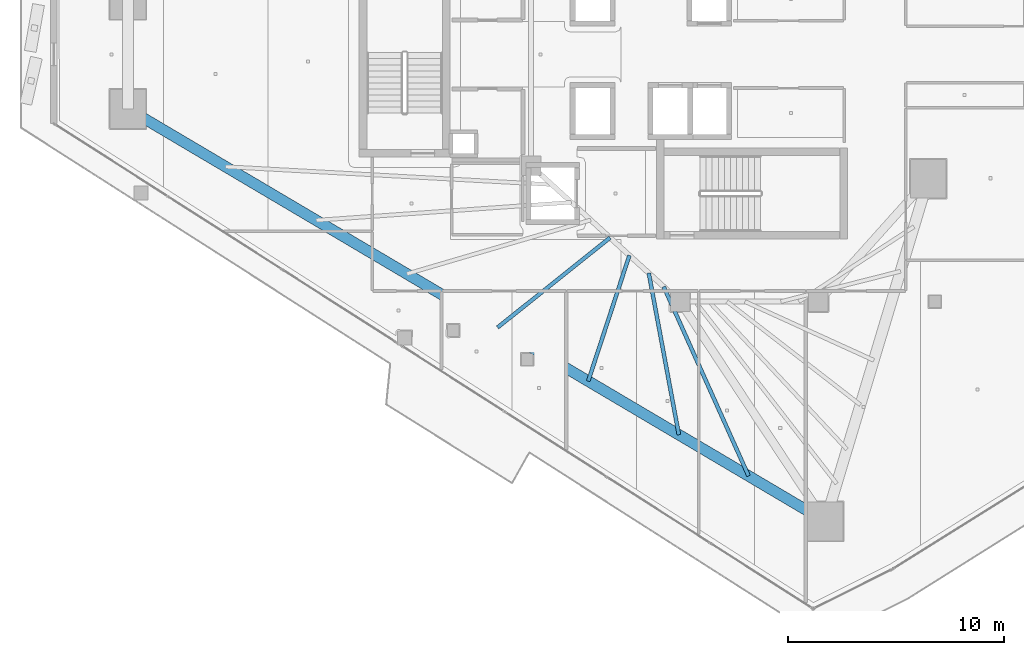
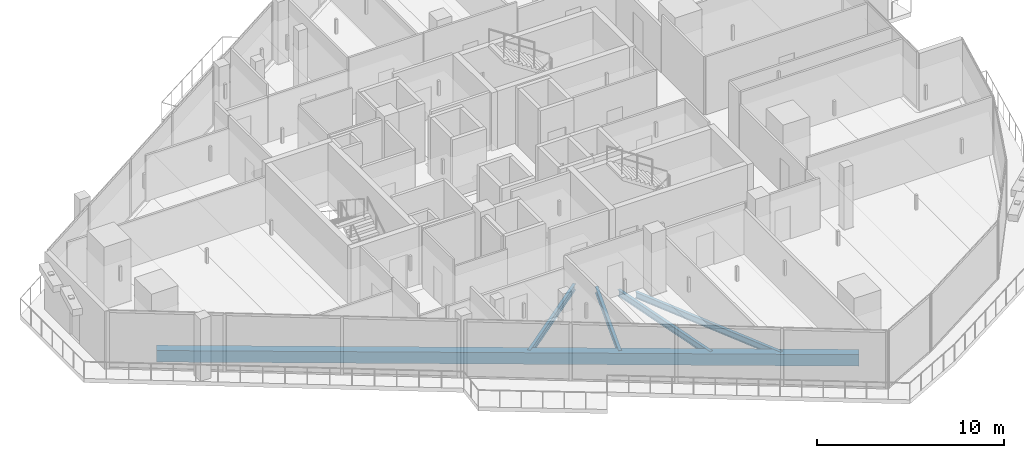
# One storey, part 5 of 36: 5 beams.
"""IFC4 building model written with IfcOpenShell, lengths in metres."""

from ifc_helpers import new_model, si_unit, direction, frame, origin, origin_2d, place, context, subcontext, project, spatial, rectangle, i_section, extrude, material, material_profile, profile_set, type_object, element, save


model = new_model("IFC4")

# Units and contexts
model_context = context("Model", 3, precision=1e-05, world=origin(), true_north=direction((0.0, 1.0)))
body_context = subcontext(model_context, "Body", "Model", "MODEL_VIEW")
ifc_project = project(units=[si_unit("LENGTHUNIT", "METRE"), si_unit("AREAUNIT", "SQUARE_METRE"), si_unit("VOLUMEUNIT", "CUBIC_METRE"), si_unit("PLANEANGLEUNIT", "RADIAN"), si_unit("MASSUNIT", "GRAM", prefix="KILO")], contexts=[model_context])

# Site, building, storey
site_placement = place(None, origin())
site = spatial("IfcSite", under=ifc_project, at=site_placement, CompositionType="ELEMENT")
building_placement = place(site_placement, origin())
building = spatial("IfcBuilding", under=site, at=building_placement, Name="Qorvath Tower", CompositionType="ELEMENT")
storey_placement = place(building_placement, frame((0.0, 0.0, 241.5)))
storey = spatial("IfcBuildingStorey", under=building, at=storey_placement, Name="L56", CompositionType="ELEMENT", Elevation=241.5)

# Beams
ifc_material_1 = material(Name="Steel ASTM A992 Grade 50", Category="steel")
ifc_material_profile_1 = material_profile(ifc_material_1, i_section(OverallWidth=0.177978515625, OverallDepth=0.406005859375, WebThickness=0.0078125, FlangeThickness=0.0126953125, FilletRadius=0.010986328125, at=origin_2d()), Name="W16x40")
ifc_profile_set_1 = profile_set([ifc_material_profile_1], Name="Steel ASTM A992 Grade 50")
beam_type_1 = type_object("IfcBeamType", Name="BM-FJ3", PredefinedType="JOIST", material=ifc_profile_set_1)
beam_1_placement = place(storey_placement, frame((-26.843017578125, -8.489013671875, -0.472900390625), z_axis=(-0.781336553339, -0.624109918537, 0.0), x_axis=(0.624109918537, -0.781336553339, 0.0)))
element("IfcBeam", 1, at=beam_1_placement, inside=storey, type_object=beam_type_1, Name="Composite Floor Joist SW4 L56", PredefinedType="JOIST", context=body_context, shape_type="SweptSolid", body=[
    extrude(i_section(OverallWidth=0.177978515625, OverallDepth=0.406005859375, WebThickness=0.0078125, FlangeThickness=0.0126953125, FilletRadius=0.010986328125, at=origin_2d()), origin(), (0.0, 0.0, 1.0), 6.667724609375),
])
beam_2_placement = place(storey_placement, frame((-25.946044921875, -9.30810546875, -0.472900390625), z_axis=(-0.311228747452, -0.950335028692, 0.0), x_axis=(0.950335028692, -0.311228747452, 0.0)))
element("IfcBeam", 2, at=beam_2_placement, inside=storey, type_object=beam_type_1, Name="Composite Floor Joist SW5 L56", PredefinedType="JOIST", context=body_context, shape_type="SweptSolid", body=[
    extrude(i_section(OverallWidth=0.177978515625, OverallDepth=0.406005859375, WebThickness=0.0078125, FlangeThickness=0.0126953125, FilletRadius=0.010986328125, at=origin_2d()), origin(), (0.0, 0.0, 1.0), 6.129638671875),
])
beam_3_placement = place(storey_placement, frame((-25.049072265625, -10.126953125, -0.472900390625), z_axis=(0.183026775988, -0.983107928598, 0.0), x_axis=(0.983107928598, 0.183026775988, 0.0)))
element("IfcBeam", 3, at=beam_3_placement, inside=storey, type_object=beam_type_1, Name="Composite Floor Joist SW6 L56", PredefinedType="JOIST", context=body_context, shape_type="SweptSolid", body=[
    extrude(i_section(OverallWidth=0.177978515625, OverallDepth=0.406005859375, WebThickness=0.0078125, FlangeThickness=0.0126953125, FilletRadius=0.010986328125, at=origin_2d()), origin(), (0.0, 0.0, 1.0), 7.617919921875),
])
beam_4_placement = place(storey_placement, frame((-24.35888671875, -10.757080078125, -0.472900390625), z_axis=(0.409327209141, -0.912387656568, 0.0), x_axis=(0.912387656568, 0.409327209141, 0.0)))
element("IfcBeam", 4, at=beam_4_placement, inside=storey, type_object=beam_type_1, Name="Composite Floor Joist SW7 L56", PredefinedType="JOIST", context=body_context, shape_type="SweptSolid", body=[
    extrude(i_section(OverallWidth=0.177978515625, OverallDepth=0.406005859375, WebThickness=0.0078125, FlangeThickness=0.0126953125, FilletRadius=0.010986328125, at=origin_2d()), origin(), (0.0, 0.0, 1.0), 9.611083984375),
])
ifc_material_2 = material(Name="Concrete C45/55", Category="concrete")
ifc_material_profile_2 = material_profile(ifc_material_2, rectangle(XDim=0.5, YDim=0.75, at=origin_2d()), Name="RCB 750x500")
ifc_profile_set_2 = profile_set([ifc_material_profile_2], Name="Concrete C45/55")
beam_type_2 = type_object("IfcBeamType", Name="BM-RCB3", PredefinedType="SPANDREL", material=ifc_profile_set_2)
beam_5_placement = place(storey_placement, frame((-49.171875, -2.52783203125, -0.64501953125), z_axis=(0.860776759786, -0.50898268125, 0.0), x_axis=(0.50898268125, 0.860776759786, 0.0)))
element("IfcBeam", 5, at=beam_5_placement, inside=storey, type_object=beam_type_2, Name="Perimeter Loggia Frame Beam MC2-MC3 L56", PredefinedType="SPANDREL", context=body_context, shape_type="SweptSolid", body=[
    extrude(rectangle(XDim=0.5, YDim=0.75, at=origin_2d()), origin(), (0.0, 0.0, 1.0), 37.524658203125),
])

save(model, "model.ifc")
